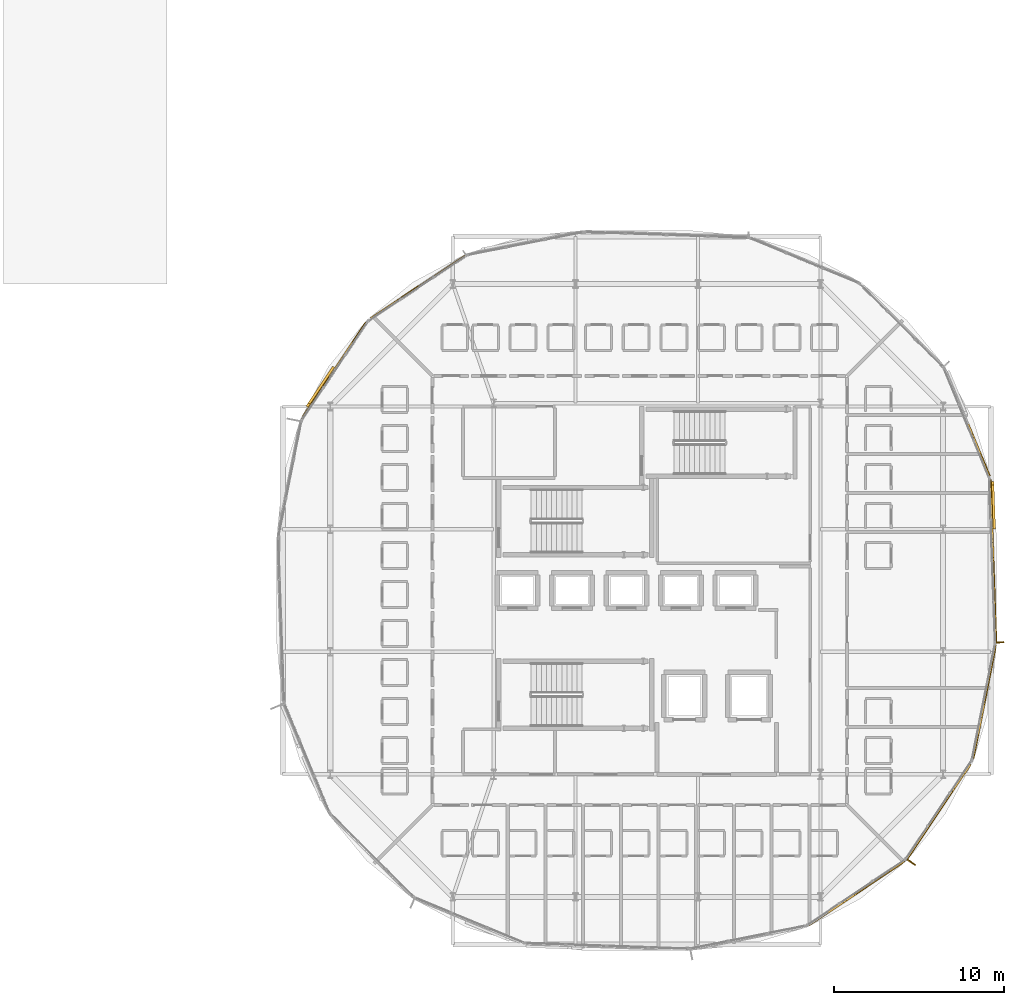
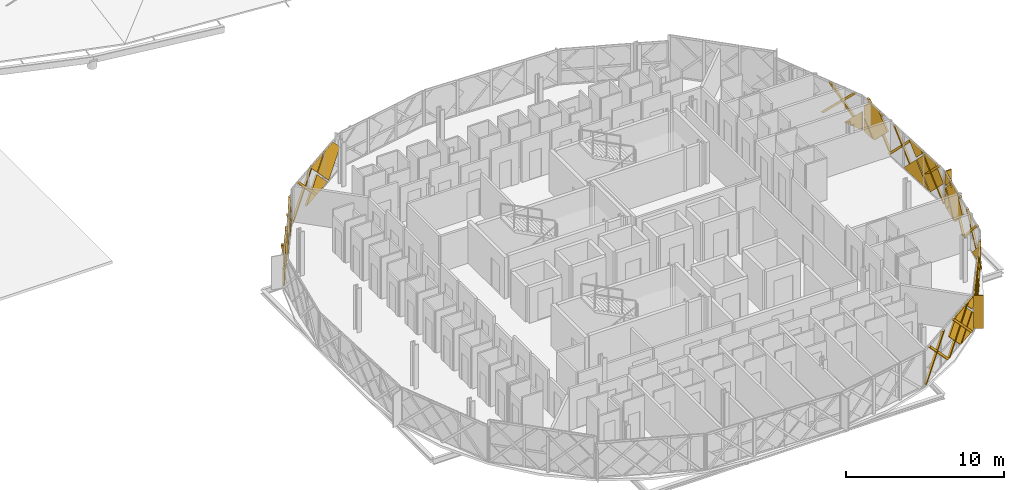
# One storey, part 39 of 40: 48 coverings, 2 shading devices.
"""IFC4 building model written with IfcOpenShell, lengths in metres."""

from ifc_helpers import new_model, si_unit, direction, frame, origin, origin_2d, place, context, subcontext, project, spatial, polyline, rectangle, outline, extrude, material, layer, layer_set, type_object, element, save


model = new_model("IFC4")

# Units and contexts
model_context = context("Model", 3, precision=1e-05, world=origin(), true_north=direction((0.0, 1.0)))
body_context = subcontext(model_context, "Body", "Model", "MODEL_VIEW")
ifc_project = project(units=[si_unit("LENGTHUNIT", "METRE"), si_unit("AREAUNIT", "SQUARE_METRE"), si_unit("VOLUMEUNIT", "CUBIC_METRE"), si_unit("PLANEANGLEUNIT", "RADIAN"), si_unit("MASSUNIT", "GRAM", prefix="KILO")], contexts=[model_context])

# Site, building, storey
site_placement = place(None, origin())
site = spatial("IfcSite", under=ifc_project, at=site_placement, CompositionType="ELEMENT")
building_placement = place(site_placement, origin())
building = spatial("IfcBuilding", under=site, at=building_placement, Name="Zevrakil Square Congress Hotel", CompositionType="ELEMENT")
storey_placement = place(building_placement, frame((0.0, 0.0, 18.10009765625)))
storey = spatial("IfcBuildingStorey", under=building, at=storey_placement, Name="L05", CompositionType="ELEMENT", Elevation=18.10009765625)

# Coverings
ifc_material_1 = material(Name="Architectural White Fibre-C GRC", Category="concrete")
ifc_layer_1 = layer(ifc_material_1, 0.06494140625)
ifc_layer_set_1 = layer_set([ifc_layer_1], Name="Architectural White Fibre-C GRC")
covering_type_1 = type_object("IfcCoveringType", Name="COV-DIA-WHITE", PredefinedType="CLADDING", material=ifc_layer_set_1)
covering_1_placement = place(storey_placement, frame((160.808349609375, 11.569580078125, 1.58984375), z_axis=(0.555559195372, -0.831476756033, 0.000620172852), x_axis=(0.588484304892, 0.392674309244, -0.70674826477)))
element("IfcCovering", 1, at=covering_1_placement, inside=storey, type_object=covering_type_1, Name="L05 45-degree white GRC diamond facade cassette 2338", PredefinedType="CLADDING", context=body_context, shape_type="SweptSolid", body=[
    extrude(outline(polyline([(0.0, 0.0), (0.2625360851374192, 0.0), (1.1984540045112464, -0.9371553697176227), (-0.0012107953235886981, -2.135605116410543), (0.0, 0.0)])), origin(), (0.0, 0.0, -1.0), 0.1201171875),
])
covering_2_placement = place(storey_placement, frame((160.7333984375, 11.51953125, 1.679931640625), z_axis=(0.555606831292, -0.831444942803, 0.000596749013), x_axis=(-0.587661822925, -0.39320812363, -0.707135739012)))
element("IfcCovering", 2, at=covering_2_placement, inside=storey, type_object=covering_type_1, Name="L05 45-degree white GRC diamond facade cassette 2339", PredefinedType="CLADDING", context=body_context, shape_type="SweptSolid", body=[
    extrude(outline(polyline([(0.0, 0.0), (2.2486316238626607, 2.220446049250313e-16), (2.2485411945762905, -2.2487261850570333), (0.8556274512005428, -2.2485624845167362), (1.2093941359481164e-07, -1.3928647945543267), (0.0, 0.0)])), origin(), (0.0, 0.0, -1.0), 0.1201171875),
])
covering_3_placement = place(storey_placement, frame((160.80810546875, 11.569580078125, 1.77001953125), z_axis=(0.55544958301, -0.831550110186, 0.000418311121), x_axis=(-0.588218105578, -0.392555705987, 0.707035697803)))
element("IfcCovering", 3, at=covering_3_placement, inside=storey, type_object=covering_type_1, Name="L05 45-degree white GRC diamond facade cassette 2340", PredefinedType="CLADDING", context=body_context, shape_type="SweptSolid", body=[
    extrude(outline(polyline([(0.0, 0.0), (1.2655306879974537, 1.1102230246251565e-16), (0.5012422779255865, -0.7641349283614751), (-0.00025536966144182327, -0.26263187324591436), (0.0, 0.0)])), origin(), (0.0, 0.0, -1.0), 0.1201171875),
])
covering_4_placement = place(storey_placement, frame((162.9384765625, 14.5478515625, 1.58984375), z_axis=(0.831440229961, -0.555613874626, 0.000605248442), x_axis=(0.393257914595, 0.587714807829, -0.707064012142)))
element("IfcCovering", 4, at=covering_4_placement, inside=storey, type_object=covering_type_1, Name="L05 45-degree white GRC diamond facade cassette 2345", PredefinedType="CLADDING", context=body_context, shape_type="SweptSolid", body=[
    extrude(outline(polyline([(0.0, 0.0), (2.135605461024525, 0.0), (-1.6718060930287493e-05, -2.135364640319784), (0.0, 0.0)])), origin(), (0.0, 0.0, -1.0), 0.1201171875),
])
covering_5_placement = place(storey_placement, frame((162.888427734375, 14.47314453125, 1.679931640625), z_axis=(0.831453267907, -0.555594416025, 0.000555129589), x_axis=(-0.392546930986, -0.588157379437, -0.707091086061)))
element("IfcCovering", 5, at=covering_5_placement, inside=storey, type_object=covering_type_1, Name="L05 45-degree white GRC diamond facade cassette 2346", PredefinedType="CLADDING", context=body_context, shape_type="SweptSolid", body=[
    extrude(outline(polyline([(0.0, 0.0), (2.248773945512929, 0.0), (2.248674649184861, -2.2344198710725953), (2.234519017090858, -2.2485761272153946), (0.8558662070935928, -2.2486049002476425), (0.00018485733907946944, -1.3929612296794616), (0.0, 0.0)])), origin(), (0.0, 0.0, -1.0), 0.1201171875),
])
covering_6_placement = place(storey_placement, frame((162.9384765625, 14.5478515625, 1.77001953125), z_axis=(0.831483111126, -0.555549657417, 0.000643471755), x_axis=(-0.393206400167, -0.587687288964, 0.707115533176)))
element("IfcCovering", 6, at=covering_6_placement, inside=storey, type_object=covering_type_1, Name="L05 45-degree white GRC diamond facade cassette 2347", PredefinedType="CLADDING", context=body_context, shape_type="SweptSolid", body=[
    extrude(outline(polyline([(0.0, 0.0), (1.2653878307647293, 1.1102230246251565e-16), (-0.0002545963357465375, -1.2656742819271734), (0.0, 0.0)])), origin(), (0.0, 0.0, -1.0), 0.1201171875),
])
covering_7_placement = place(storey_placement, frame((165.2734375, 19.093994140625, 0.079833984375), z_axis=(0.98077978737, -0.195117179235, 0.000543188459), x_axis=(-0.19511720802, -0.980779932061, 0.0)))
element("IfcCovering", 7, at=covering_7_placement, inside=storey, type_object=covering_type_1, Name="L05 45-degree white GRC diamond facade cassette 2352", PredefinedType="CLADDING", context=body_context, shape_type="SweptSolid", body=[
    extrude(outline(polyline([(0.0, 0.0), (1.4101600118571058, -2.710505431213761e-20), (1.4100634717428475, -1.4101564580359573), (0.0, 0.0)])), origin(), (0.0, 0.0, -1.0), 0.1201171875),
])
covering_8_placement = place(storey_placement, frame((166.2890625, 24.203857421875, 1.58984375), z_axis=(0.98080580388, -0.194986235398, 0.000585731703), x_axis=(0.138331107534, 0.693699865783, -0.706855714344)))
element("IfcCovering", 8, at=covering_8_placement, inside=storey, type_object=covering_type_1, Name="L05 45-degree white GRC diamond facade cassette 2353", PredefinedType="CLADDING", context=body_context, shape_type="SweptSolid", body=[
    extrude(outline(polyline([(0.0, 0.0), (0.26249595866473396, 2.7755575615628914e-17), (1.1988352103120123, -0.9367345808732228), (-0.0006086706505503692, -2.1353274211311337), (0.0, 0.0)])), origin(), (0.0, 0.0, -1.0), 0.1201171875),
])
covering_9_placement = place(storey_placement, frame((166.271484375, 24.11572265625, 1.679931640625), z_axis=(0.980773187119, -0.19515009522, 0.000629097829), x_axis=(-0.137560106582, -0.6936204109, -0.70708411286)))
element("IfcCovering", 9, at=covering_9_placement, inside=storey, type_object=covering_type_1, Name="L05 45-degree white GRC diamond facade cassette 2354", PredefinedType="CLADDING", context=body_context, shape_type="SweptSolid", body=[
    extrude(outline(polyline([(0.0, 0.0), (2.2487959685892367, 0.0), (2.24870081547473, -2.2485575532243005), (0.8558741648696506, -2.2485825110714135), (0.00023221163434616887, -1.3929951238189302), (0.0, 0.0)])), origin(), (0.0, 0.0, -1.0), 0.1201171875),
])
covering_10_placement = place(storey_placement, frame((166.288818359375, 24.2041015625, 1.77001953125), z_axis=(0.980761615133, -0.195208854624, 0.000396684345), x_axis=(-0.138323702092, -0.693524431999, 0.707029289111)))
element("IfcCovering", 10, at=covering_10_placement, inside=storey, type_object=covering_type_1, Name="L05 45-degree white GRC diamond facade cassette 2355", PredefinedType="CLADDING", context=body_context, shape_type="SweptSolid", body=[
    extrude(outline(polyline([(0.0, 0.0), (1.265542180670451, -2.220446049250313e-16), (0.5013573081329675, -0.7640175289288583), (4.752196670537723e-05, -0.2623266830430053), (0.0, 0.0)])), origin(), (0.0, 0.0, -1.0), 0.1201171875),
])
covering_11_placement = place(storey_placement, frame((166.22705078125, 27.86376953125, 1.58984375), z_axis=(0.999369883002, 0.035489676318, 0.000565528632), x_axis=(-0.024694885633, 0.706662444903, -0.7071197576)))
element("IfcCovering", 11, at=covering_11_placement, inside=storey, type_object=covering_type_1, Name="L05 45-degree white GRC diamond facade cassette 2360", PredefinedType="CLADDING", context=body_context, shape_type="SweptSolid", body=[
    extrude(outline(polyline([(0.0, 0.0), (2.1354371015609908, -2.220446049250313e-16), (3.6174148876799705e-05, -2.135479987845363), (0.0, 0.0)])), origin(), (0.0, 0.0, -1.0), 0.1201171875),
])
covering_12_placement = place(storey_placement, frame((166.00537109375, 34.103759765625, 1.11376953125), z_axis=(0.999363945765, 0.035657834549, 0.000471954638), x_axis=(0.000472254965, 0.0, -0.999999888488)))
element("IfcCovering", 12, at=covering_12_placement, inside=storey, type_object=covering_type_1, Name="L05 45-degree white GRC diamond facade cassette 2361", PredefinedType="CLADDING", context=body_context, shape_type="SweptSolid", body=[
    extrude(outline(polyline([(0.0, 0.0), (1.033935662171629, -3.3881317890172014e-21), (1.0339530719616001, -1.0338606011993055), (0.0, 0.0)])), origin(), (0.0, 0.0, -1.0), 0.1201171875),
])
covering_13_placement = place(storey_placement, frame((166.230224609375, 27.773681640625, 1.679931640625), z_axis=(0.999366923749, 0.035572642465, 0.000582086232), x_axis=(0.025563553442, -0.706603359962, -0.707147931077)))
element("IfcCovering", 13, at=covering_13_placement, inside=storey, type_object=covering_type_1, Name="L05 45-degree white GRC diamond facade cassette 2362", PredefinedType="CLADDING", context=body_context, shape_type="SweptSolid", body=[
    extrude(outline(polyline([(0.0, 0.0), (2.24859291425612, -2.220446049250313e-16), (2.2484591371407308, -2.2345648252570824), (2.234302367036167, -2.248719942914017), (0.8555420121421106, -2.2485305267673827), (-1.3538970734527922e-06, -1.392887225010495), (0.0, 0.0)])), origin(), (0.0, 0.0, -1.0), 0.1201171875),
])
covering_14_placement = place(storey_placement, frame((166.048583984375, 32.900634765625, 0.08984375), z_axis=(0.999368874609, 0.035518101678, 0.000562952069), x_axis=(0.024717259515, -0.706674233625, 0.70710719457)))
element("IfcCovering", 14, at=covering_14_placement, inside=storey, type_object=covering_type_1, Name="L05 45-degree white GRC diamond facade cassette 2363", PredefinedType="CLADDING", context=body_context, shape_type="SweptSolid", body=[
    extrude(outline(polyline([(0.0, 0.0), (2.2487224804855073, 0.0), (2.2486129084721544, -1.3929179204342703), (1.393020204171073, -2.2485118900027965), (0.5459986865472045, -2.2485938452536285), (-3.533180400150382e-05, -1.7025483751651804), (0.0, 0.0)])), origin(), (0.0, 0.0, -1.0), 0.1201171875),
])
covering_15_placement = place(storey_placement, frame((166.226806640625, 27.86376953125, 1.77001953125), z_axis=(0.999366065761, 0.035599091465, 0.000413874119), x_axis=(0.02488430278, -0.706791359574, 0.706984261145)))
element("IfcCovering", 15, at=covering_15_placement, inside=storey, type_object=covering_type_1, Name="L05 45-degree white GRC diamond facade cassette 2364", PredefinedType="CLADDING", context=body_context, shape_type="SweptSolid", body=[
    extrude(outline(polyline([(0.0, 0.0), (1.26562278653175, 0.0), (-0.0002842189908773829, -1.2654686500314998), (0.0, 0.0)])), origin(), (0.0, 0.0, -1.0), 0.1201171875),
])
covering_16_placement = place(storey_placement, frame((165.41748046875, 35.631591796875, 0.079833984375), z_axis=(0.923868911168, 0.382708583633, 0.000612365634), x_axis=(0.382708655389, -0.923869084389, 0.0)))
element("IfcCovering", 16, at=covering_16_placement, inside=storey, type_object=covering_type_1, Name="L05 45-degree white GRC diamond facade cassette 2371", PredefinedType="CLADDING", context=body_context, shape_type="SweptSolid", body=[
    extrude(outline(polyline([(0.0, 0.0), (1.4098212142643223, 0.0), (1.4099920180247254, -1.4101565143984975), (0.0, 0.0)])), origin(), (0.0, 0.0, -1.0), 0.1201171875),
])
covering_17_placement = place(storey_placement, frame((132.385498046875, 45.497314453125, 1.58984375), z_axis=(-0.555557978924, 0.831477563043, 0.000627862189), x_axis=(-0.588198863079, -0.392475548484, -0.70709620372)))
element("IfcCovering", 17, at=covering_17_placement, inside=storey, type_object=covering_type_1, Name="L05 45-degree white GRC diamond facade cassette 2413", PredefinedType="CLADDING", context=body_context, shape_type="SweptSolid", body=[
    extrude(outline(polyline([(0.0, 0.0), (2.1355082344953917, -4.440892098500626e-16), (7.921204851379926e-05, -2.1353659787443657), (0.0, 0.0)])), origin(), (0.0, 0.0, -1.0), 0.1201171875),
])
covering_18_placement = place(storey_placement, frame((132.460205078125, 45.547119140625, 1.679931640625), z_axis=(-0.555575774575, 0.831465683834, 0.000612626714), x_axis=(0.587695322604, 0.39321223018, -0.707105614337)))
element("IfcCovering", 18, at=covering_18_placement, inside=storey, type_object=covering_type_1, Name="L05 45-degree white GRC diamond facade cassette 2414", PredefinedType="CLADDING", context=body_context, shape_type="SweptSolid", body=[
    extrude(outline(polyline([(0.0, 0.0), (2.248727623325507, 0.0), (2.2486286771319737, -2.2344661351292534), (2.234472754188703, -2.248622099479164), (0.8557232773824903, -2.248526020971291), (0.00015548096302719916, -1.3929606207753), (0.0, 0.0)])), origin(), (0.0, 0.0, -1.0), 0.1201171875),
])
covering_19_placement = place(storey_placement, frame((132.385498046875, 45.497314453125, 1.77001953125), z_axis=(-0.555549628928, 0.831483068487, 0.000718760518), x_axis=(0.58824423709, 0.392420065018, 0.707089251864)))
element("IfcCovering", 19, at=covering_19_placement, inside=storey, type_object=covering_type_1, Name="L05 45-degree white GRC diamond facade cassette 2415", PredefinedType="CLADDING", context=body_context, shape_type="SweptSolid", body=[
    extrude(outline(polyline([(0.0, 0.0), (1.2654348630897931, 0.0), (-0.000254539771078921, -1.2656273056055394), (0.0, 0.0)])), origin(), (0.0, 0.0, -1.0), 0.1201171875),
])
covering_20_placement = place(storey_placement, frame((128.488525390625, 42.19091796875, 0.079833984375), z_axis=(-0.83143696172, 0.555618744306, 0.000624229289), x_axis=(0.555618852558, 0.831437123709, 0.0)))
element("IfcCovering", 20, at=covering_20_placement, inside=storey, type_object=covering_type_1, Name="L05 45-degree white GRC diamond facade cassette 2420", PredefinedType="CLADDING", context=body_context, shape_type="SweptSolid", body=[
    extrude(outline(polyline([(0.0, 0.0), (1.4100444252712594, 1.0842021724855044e-19), (1.410045397514974, -1.4101565247423773), (0.0, 0.0)])), origin(), (0.0, 0.0, -1.0), 0.1201171875),
])
covering_21_placement = place(storey_placement, frame((125.5947265625, 37.8583984375, 1.58984375), z_axis=(-0.831447623969, 0.555602731001, 0.000673721468), x_axis=(-0.393394347416, -0.587849085987, -0.706876466949)))
element("IfcCovering", 21, at=covering_21_placement, inside=storey, type_object=covering_type_1, Name="L05 45-degree white GRC diamond facade cassette 2421", PredefinedType="CLADDING", context=body_context, shape_type="SweptSolid", body=[
    extrude(outline(polyline([(0.0, 0.0), (0.2624884145950931, 2.7755575615628914e-17), (1.198721158263602, -0.9368409539727901), (-0.000726414551789567, -2.1355081109127454), (0.0, 0.0)])), origin(), (0.0, 0.0, -1.0), 0.1201171875),
])
covering_22_placement = place(storey_placement, frame((125.644775390625, 37.93310546875, 1.679931640625), z_axis=(-0.831457719354, 0.555587714601, 0.000593557807), x_axis=(0.392519607728, 0.588175635781, -0.707091068408)))
element("IfcCovering", 22, at=covering_22_placement, inside=storey, type_object=covering_type_1, Name="L05 45-degree white GRC diamond facade cassette 2422", PredefinedType="CLADDING", context=body_context, shape_type="SweptSolid", body=[
    extrude(outline(polyline([(0.0, 0.0), (2.2487739514504135, 0.0), (2.2488268340497726, -2.248727622490086), (0.8557226102738245, -2.248461421319551), (0.00018486147030083444, -1.3929612254066122), (0.0, 0.0)])), origin(), (0.0, 0.0, -1.0), 0.1201171875),
])
ifc_material_2 = material(Name="Anodised Champagne Aluminium", Category="aluminium")
ifc_layer_2 = layer(ifc_material_2, 0.0849609375)
ifc_layer_set_2 = layer_set([ifc_layer_2], Name="Anodised Champagne Aluminium")
covering_type_2 = type_object("IfcCoveringType", Name="COV-DIAGRID-45", PredefinedType="MOLDING", material=ifc_layer_set_2)
covering_23_placement = place(storey_placement, frame((155.389892578125, 7.917724609375, 0.079833984375), z_axis=(0.555620503227, -0.831435866089, 0.000506926443), x_axis=(-0.831435973188, -0.555620574212, 9.60418e-07)))
element("IfcCovering", 23, at=covering_23_placement, inside=storey, type_object=covering_type_2, Name="L05 45-degree aluminium diagrid rib 2341", PredefinedType="MOLDING", context=body_context, shape_type="SweptSolid", body=[
    extrude(outline(polyline([(0.0, 0.0), (0.08592694143444375, 0.0), (0.08592706265901635, -0.12622068690719485), (-2.3729147524730454, -2.5849635784629443), (-2.584990316434538, -2.5849638348069846), (0.0, 0.0)])), origin(), (0.0, 0.0, -1.0), 0.14501953125),
])
covering_24_placement = place(storey_placement, frame((158.18359375, 9.78466796875, 0.079833984375), z_axis=(0.555363882401, -0.831607057066, 0.000812873197), x_axis=(-0.831607331521, -0.555364066321, -6.48948e-07)))
element("IfcCovering", 24, at=covering_24_placement, inside=storey, type_object=covering_type_2, Name="L05 45-degree aluminium diagrid rib 2342", PredefinedType="MOLDING", context=body_context, shape_type="SweptSolid", body=[
    extrude(outline(polyline([(0.0, 0.0), (0.21207552182397213, 0.0), (-2.372918377330851, -2.5849602516236643), (-2.585061341358241, -2.5849599763279754), (0.0, 0.0)])), origin(), (0.0, 0.0, -1.0), 0.14501953125),
])
covering_25_placement = place(storey_placement, frame((155.72412109375, 8.14306640625, 2.664794921875), z_axis=(0.555629848176, -0.831429534473, 0.000633262564), x_axis=(0.83142970129, 0.555629959426, -3.03254e-07)))
element("IfcCovering", 25, at=covering_25_placement, inside=storey, type_object=covering_type_2, Name="L05 45-degree aluminium diagrid rib 2343", PredefinedType="MOLDING", context=body_context, shape_type="SweptSolid", body=[
    extrude(outline(polyline([(0.0, 0.0), (0.2119399132751812, 0.0), (2.7969978946291523, -2.5849606076116722), (2.584922329508408, -2.5849607361960962), (0.0, 0.0)])), origin(), (0.0, 0.0, -1.0), 0.14501953125),
])
covering_26_placement = place(storey_placement, frame((158.517822265625, 10.009765625, 2.664794921875), z_axis=(0.555364033836, -0.831607283827, 0.000339716407), x_axis=(0.831607331824, 0.555364065867, -5.4051e-08)))
element("IfcCovering", 26, at=covering_26_placement, inside=storey, type_object=covering_type_2, Name="L05 45-degree aluminium diagrid rib 2344", PredefinedType="MOLDING", context=body_context, shape_type="SweptSolid", body=[
    extrude(outline(polyline([(0.0, 0.0), (0.2119399348937807, 0.0), (2.797200660032341, -2.584960935469515), (2.584922109074671, -2.5849609583990407), (0.0, 0.0)])), origin(), (0.0, 0.0, -1.0), 0.14501953125),
])
covering_27_placement = place(storey_placement, frame((161.19677734375, 11.89453125, 0.079833984375), z_axis=(0.831089157798, -0.556137733831, 0.001277810426), x_axis=(-0.556138187651, -0.831089836441, -1.98937e-07)))
element("IfcCovering", 27, at=covering_27_placement, inside=storey, type_object=covering_type_2, Name="L05 45-degree aluminium diagrid rib 2348", PredefinedType="MOLDING", context=body_context, shape_type="SweptSolid", body=[
    extrude(outline(polyline([(0.0, 0.0), (0.08606259933030548, 6.776263578034403e-21), (0.08619835014510685, -0.12622085937671992), (-2.37284492630838, -2.5849625599713932), (-2.5849205138440574, -2.584962553776553), (0.0, 0.0)])), origin(), (0.0, 0.0, -1.0), 0.14501953125),
])
covering_28_placement = place(storey_placement, frame((163.0634765625, 14.688232421875, 0.079833984375), z_axis=(0.831607283827, -0.555364033836, 0.000339716407), x_axis=(-0.555364065898, -0.831607331804, 5.3965e-08)))
element("IfcCovering", 28, at=covering_28_placement, inside=storey, type_object=covering_type_2, Name="L05 45-degree aluminium diagrid rib 2349", PredefinedType="MOLDING", context=body_context, shape_type="SweptSolid", body=[
    extrude(outline(polyline([(0.0, 0.0), (0.2122785509576714, -6.776263578034403e-21), (-2.3729818949631762, -2.5849612147195797), (-2.5849218298569556, -2.5849612376125295), (0.0, 0.0)])), origin(), (0.0, 0.0, -1.0), 0.14501953125),
])
for number, where, z_axis, x_axis, name in (
    (29, (161.419189453125, 12.230224609375, 2.664794921875), (0.831341468705, -0.555761839979, 0.000373677277), (0.555761878743, 0.831341526772, 1.19423e-07), "L05 45-degree aluminium diagrid rib 2350"),
    (30, (163.285888671875, 15.02392578125, 2.664794921875), (0.831341468705, -0.555761839979, 0.000373677277), (0.555761878743, 0.831341526772, 1.19423e-07), "L05 45-degree aluminium diagrid rib 2351"),
):
    element("IfcCovering", number, at=place(storey_placement, frame(where, z_axis=z_axis, x_axis=x_axis)), inside=storey, type_object=covering_type_2, Name=name, PredefinedType="MOLDING", context=body_context, shape_type="SweptSolid", body=[
        extrude(outline(polyline([(0.0, 0.0), (0.21227854279521846, -6.776263578034403e-21), (2.797271246208283, -2.5849614520347886), (2.5851956676529992, -2.58496140135698), (0.0, 0.0)])), origin(), (0.0, 0.0, -1.0), 0.14501953125),
    ])
covering_29_placement = place(storey_placement, frame((165.039794921875, 17.79052734375, 0.079833984375), z_axis=(0.980852465608, -0.194752069499, 0.000268581951), x_axis=(-0.194752076582, -0.980852500974, 2.2427e-07)))
element("IfcCovering", 31, at=covering_29_placement, inside=storey, type_object=covering_type_2, Name="L05 45-degree aluminium diagrid rib 2356", PredefinedType="MOLDING", context=body_context, shape_type="SweptSolid", body=[
    extrude(outline(polyline([(0.0, 0.0), (0.08613595181180707, 8.470329472543003e-22), (0.08613598011932377, -0.12622069857245174), (-2.372931346302577, -2.5849615702118793), (-2.5849917544500878, -2.5849616285701105), (0.0, 0.0)])), origin(), (0.0, 0.0, -1.0), 0.14501953125),
])
covering_30_placement = place(storey_placement, frame((165.6953125, 21.0859375, 0.079833984375), z_axis=(0.980668369016, -0.195673266118, 0.001234073489), x_axis=(-0.195673415118, -0.980669115765, 0.0)))
element("IfcCovering", 32, at=covering_30_placement, inside=storey, type_object=covering_type_2, Name="L05 45-degree aluminium diagrid rib 2357", PredefinedType="MOLDING", context=body_context, shape_type="SweptSolid", body=[
    extrude(outline(polyline([(0.0, 0.0), (0.21210804863334146, 6.776263578034403e-21), (-2.372882429410418, -2.584962905869062), (-2.5849904780437596, -2.584962905869062), (0.0, 0.0)])), origin(), (0.0, 0.0, -1.0), 0.14501953125),
])
covering_31_placement = place(storey_placement, frame((165.11669921875, 18.185791015625, 2.664794921875), z_axis=(0.980691124175, -0.195563039425, 0.000128748529), x_axis=(0.195563041044, 0.980691132303, 1.4474e-08)))
element("IfcCovering", 33, at=covering_31_placement, inside=storey, type_object=covering_type_2, Name="L05 45-degree aluminium diagrid rib 2358", PredefinedType="MOLDING", context=body_context, shape_type="SweptSolid", body=[
    extrude(outline(polyline([(0.0, 0.0), (0.21234747383591013, 0.0), (2.797240660967909, -2.584960999411977), (2.5851326136779713, -2.584960993268359), (0.0, 0.0)])), origin(), (0.0, 0.0, -1.0), 0.14501953125),
])
covering_32_placement = place(storey_placement, frame((165.772216796875, 21.4814453125, 2.664794921875), z_axis=(0.980691124175, -0.195563039425, 0.000128748529), x_axis=(0.195563041048, 0.980691132302, -1.449e-08)))
element("IfcCovering", 34, at=covering_32_placement, inside=storey, type_object=covering_type_2, Name="L05 45-degree aluminium diagrid rib 2359", PredefinedType="MOLDING", context=body_context, shape_type="SweptSolid", body=[
    extrude(outline(polyline([(0.0, 0.0), (0.21210804728993782, 0.0), (2.797240735840187, -2.5849609183911086), (2.5848932620042766, -2.584960924541661), (0.0, 0.0)])), origin(), (0.0, 0.0, -1.0), 0.14501953125),
])
covering_33_placement = place(storey_placement, frame((166.36572265625, 24.692626953125, 0.079833984375), z_axis=(0.999368887031, 0.035515910449, 0.000669133388), x_axis=(0.035515919023, -0.999369110737, -9.31201e-07)))
element("IfcCovering", 35, at=covering_33_placement, inside=storey, type_object=covering_type_2, Name="L05 45-degree aluminium diagrid rib 2365", PredefinedType="MOLDING", context=body_context, shape_type="SweptSolid", body=[
    extrude(outline(polyline([(0.0, 0.0), (0.08599600437663368, -4.235164736271502e-22), (0.08598721596112911, -0.12622083811945092), (-2.3728963954197324, -2.5849592619582147), (-2.584945560851703, -2.5849590894310555), (0.0, 0.0)])), origin(), (0.0, 0.0, -1.0), 0.14501953125),
])
covering_34_placement = place(storey_placement, frame((166.246337890625, 28.050537109375, 0.079833984375), z_axis=(0.999362738238, 0.035691526366, 0.000482044604), x_axis=(0.035691530512, -0.999362854348, 0.0)))
element("IfcCovering", 36, at=covering_34_placement, inside=storey, type_object=covering_type_2, Name="L05 45-degree aluminium diagrid rib 2366", PredefinedType="MOLDING", context=body_context, shape_type="SweptSolid", body=[
    extrude(outline(polyline([(0.0, 0.0), (0.21204916870594673, 0.0), (-2.3728942439009075, -2.5849612378298623), (-2.5849434126068545, -2.5849612378298623), (0.0, 0.0)])), origin(), (0.0, 0.0, -1.0), 0.14501953125),
])
covering_35_placement = place(storey_placement, frame((166.126708984375, 31.408447265625, 0.079833984375), z_axis=(-0.999342146097, -0.03626644885, 0.00014043487), x_axis=(0.036266449219, -0.999342155951, 8.0788e-08)))
element("IfcCovering", 37, at=covering_35_placement, inside=storey, type_object=covering_type_2, Name="L05 45-degree aluminium diagrid rib 2367", PredefinedType="MOLDING", context=body_context, shape_type="SweptSolid", body=[
    extrude(outline(polyline([(0.0, 0.0), (0.21205798772963455, 0.0), (-2.3728855051392252, 2.584961154689919), (-2.584934638755281, 2.5849611889525055), (0.0, 0.0)])), origin(), (0.0, 0.0, -1.0), 0.14501953125),
])
covering_36_placement = place(storey_placement, frame((166.349853515625, 25.09521484375, 2.664794921875), z_axis=(0.999363323589, 0.03567099946, 0.000726128736), x_axis=(-0.035671008853, 0.999363587053, -1.4894e-08)))
element("IfcCovering", 38, at=covering_36_placement, inside=storey, type_object=covering_type_2, Name="L05 45-degree aluminium diagrid rib 2368", PredefinedType="MOLDING", context=body_context, shape_type="SweptSolid", body=[
    extrude(outline(polyline([(0.0, 0.0), (0.21229315391198408, 0.0), (2.797123365234706, -2.584961577317762), (2.585074196573467, -2.584961583637796), (0.0, 0.0)])), origin(), (0.0, 0.0, -1.0), 0.14501953125),
])
covering_37_placement = place(storey_placement, frame((166.23046875, 28.453125, 2.664794921875), z_axis=(0.999362574513, 0.035691520518, 0.000748348844), x_axis=(-0.035691530512, 0.999362854348, 0.0)))
element("IfcCovering", 39, at=covering_37_placement, inside=storey, type_object=covering_type_2, Name="L05 45-degree aluminium diagrid rib 2369", PredefinedType="MOLDING", context=body_context, shape_type="SweptSolid", body=[
    extrude(outline(polyline([(0.0, 0.0), (0.21204916870594673, 0.0), (2.797123287601299, -2.5849616613229602), (2.585074118895352, -2.5849616613229602), (0.0, 0.0)])), origin(), (0.0, 0.0, -1.0), 0.14501953125),
])
covering_38_placement = place(storey_placement, frame((166.111083984375, 31.81103515625, 2.664794921875), z_axis=(0.999353822533, 0.035932022764, 0.000909466699), x_axis=(-0.035932037426, 0.999354235838, -2.18874e-07)))
element("IfcCovering", 40, at=covering_38_placement, inside=storey, type_object=covering_type_2, Name="L05 45-degree aluminium diagrid rib 2370", PredefinedType="MOLDING", context=body_context, shape_type="SweptSolid", body=[
    extrude(outline(polyline([(0.0, 0.0), (0.21204916256522524, -2.541098841762901e-21), (2.2948713698774714, -2.0827640309466244), (2.2948626438432096, -2.294922368226733), (0.0, 0.0)])), origin(), (0.0, 0.0, -1.0), 0.14501953125),
])
covering_39_placement = place(storey_placement, frame((165.947021484375, 34.418212890625, 0.079833984375), z_axis=(0.923654827655, 0.383225466773, 3.1095563e-05), x_axis=(0.383225466958, -0.923654828101, 2.0983e-08)))
element("IfcCovering", 41, at=covering_39_placement, inside=storey, type_object=covering_type_2, Name="L05 45-degree aluminium diagrid rib 2375", PredefinedType="MOLDING", context=body_context, shape_type="SweptSolid", body=[
    extrude(outline(polyline([(0.0, 0.0), (0.08614426562508555, 0.0), (0.08614426827360329, -0.12622070306397642), (-2.3728427817659696, -2.584960989070895), (-2.5848509000848776, -2.584960995267369), (0.0, 0.0)])), origin(), (0.0, 0.0, -1.0), 0.14501953125),
])
covering_40_placement = place(storey_placement, frame((165.79150390625, 34.789794921875, 2.664794921875), z_axis=(0.923637092987, 0.383266232978, 0.001230900864), x_axis=(-0.383266523634, 0.923637792569, 2.71632e-07)))
element("IfcCovering", 42, at=covering_40_placement, inside=storey, type_object=covering_type_2, Name="L05 45-degree aluminium diagrid rib 2377", PredefinedType="MOLDING", context=body_context, shape_type="SweptSolid", body=[
    extrude(outline(polyline([(0.0, 0.0), (0.2120081206079906, 0.0), (2.797088510956595, -2.5849636555411517), (2.584854892840653, -2.5849635403033626), (0.0, 0.0)])), origin(), (0.0, 0.0, -1.0), 0.14501953125),
])
covering_41_placement = place(storey_placement, frame((132.21630859375, 45.415283203125, 0.079833984375), z_axis=(-0.555629884657, 0.831429589062, 0.000519335155), x_axis=(0.831429701112, 0.555629959693, -2.48538e-07)))
element("IfcCovering", 43, at=covering_41_placement, inside=storey, type_object=covering_type_2, Name="L05 45-degree aluminium diagrid rib 2417", PredefinedType="MOLDING", context=body_context, shape_type="SweptSolid", body=[
    extrude(outline(polyline([(0.0, 0.0), (0.21207556512078005, -6.776263578034403e-21), (-2.3729178928818717, -2.5849606963336638), (-2.5848578061570238, -2.5849605909497337), (0.0, 0.0)])), origin(), (0.0, 0.0, -1.0), 0.14501953125),
])
covering_42_placement = place(storey_placement, frame((131.882080078125, 45.190185546875, 2.664794921875), z_axis=(-0.555231733995, 0.831695667935, 0.00019365705), x_axis=(-0.83169568353, -0.555231744407, 0.0)))
element("IfcCovering", 44, at=covering_42_placement, inside=storey, type_object=covering_type_2, Name="L05 45-degree aluminium diagrid rib 2419", PredefinedType="MOLDING", context=body_context, shape_type="SweptSolid", body=[
    extrude(outline(polyline([(0.0, 0.0), (0.21193993757641005, -3.3881317890172014e-21), (2.796862019297693, -2.584960985971965), (2.5849220817212832, -2.584960985971965), (0.0, 0.0)])), origin(), (0.0, 0.0, -1.0), 0.14501953125),
])
covering_43_placement = place(storey_placement, frame((129.203369140625, 43.305419921875, 0.079833984375), z_axis=(-0.831706475454, 0.555215563852, 0.000127845339), x_axis=(0.555215568381, 0.831706482256, -7.9204e-08)))
element("IfcCovering", 45, at=covering_43_placement, inside=storey, type_object=covering_type_2, Name="L05 45-degree aluminium diagrid rib 2424", PredefinedType="MOLDING", context=body_context, shape_type="SweptSolid", body=[
    extrude(outline(polyline([(0.0, 0.0), (0.0862656145473791, 0.0), (0.08626560455021894, -0.1262207020934968), (-2.3727793048306487, -2.584960769210898), (-2.585057846383241, -2.5849607432407384), (0.0, 0.0)])), origin(), (0.0, 0.0, -1.0), 0.14501953125),
])
covering_44_placement = place(storey_placement, frame((127.336669921875, 40.51171875, 0.079833984375), z_axis=(0.831784707572, -0.555098369853, 5.976149e-06), x_axis=(0.555098369863, 0.831784707587, 2.86e-09)))
element("IfcCovering", 46, at=covering_44_placement, inside=storey, type_object=covering_type_2, Name="L05 45-degree aluminium diagrid rib 2425", PredefinedType="MOLDING", context=body_context, shape_type="SweptSolid", body=[
    extrude(outline(polyline([(0.0, 0.0), (0.2121430072898685, -1.0587911840678754e-22), (-2.372779114076772, 2.5849609443330523), (-2.5850576434295953, 2.584960945547031), (0.0, 0.0)])), origin(), (0.0, 0.0, -1.0), 0.14501953125),
])
for number, where, z_axis, x_axis, name in (
    (47, (128.980712890625, 42.9697265625, 2.664794921875), (-0.83151888479, 0.555496018469, 0.000719515594), (-0.55549616226, -0.83151910003, 0.0), "L05 45-degree aluminium diagrid rib 2426"),
    (48, (127.114013671875, 40.176025390625, 2.664794921875), (-0.83151888479, 0.555496018469, 0.000719515594), (-0.55549616226, -0.83151910003, 0.0), "L05 45-degree aluminium diagrid rib 2427"),
):
    element("IfcCovering", number, at=place(storey_placement, frame(where, z_axis=z_axis, x_axis=x_axis)), inside=storey, type_object=covering_type_2, Name=name, PredefinedType="MOLDING", context=body_context, shape_type="SweptSolid", body=[
        extrude(outline(polyline([(0.0, 0.0), (0.21227855363602155, 0.0), (2.7972711033551017, -2.584961606620875), (2.58499254971908, -2.584961606620875), (0.0, 0.0)])), origin(), (0.0, 0.0, -1.0), 0.14501953125),
    ])

# Shading devices
ifc_material_3 = material(Name="Aluminium Anodised Bronze", Category="aluminium")
shading_device_type_1 = type_object("IfcShadingDeviceType", Name="SHD-FIN-50", PredefinedType="JALOUSIE", material=ifc_material_3)
shading_device_1_placement = place(storey_placement, frame((166.52099609375, 24.552001953125, 0.099853515625), z_axis=(0.0, 0.0, 1.0), x_axis=(0.999368081525, 0.035544867817, 0.0)))
element("IfcShadingDevice", 49, at=shading_device_1_placement, inside=storey, type_object=shading_device_type_1, Name="L05 aluminium solar shading fin 130", PredefinedType="JALOUSIE", context=body_context, shape_type="SweptSolid", body=[
    extrude(rectangle(XDim=0.5, YDim=0.080078125, at=origin_2d()), origin(), (0.0, 0.0, 1.0), 2.544921875),
])
ifc_material_4 = material(Name="Aluminium Anodised Bronze", Category="aluminium")
shading_device_type_2 = type_object("IfcShadingDeviceType", Name="SHD-FIN-65", PredefinedType="USERDEFINED", material=ifc_material_4)
shading_device_2_placement = place(storey_placement, frame((161.302734375, 11.64794921875, 0.099853515625), z_axis=(0.0, 0.0, 1.0), x_axis=(0.831469612303, -0.55557023302, 0.0)))
element("IfcShadingDevice", 50, at=shading_device_2_placement, inside=storey, type_object=shading_device_type_2, Name="L05 aluminium solar shading fin 129", ObjectType="SOLAR FIN", PredefinedType="USERDEFINED", context=body_context, shape_type="SweptSolid", body=[
    extrude(rectangle(XDim=0.64990234375, YDim=0.080078125, at=origin_2d()), origin(), (0.0, 0.0, 1.0), 2.544921875),
])

save(model, "model.ifc")
